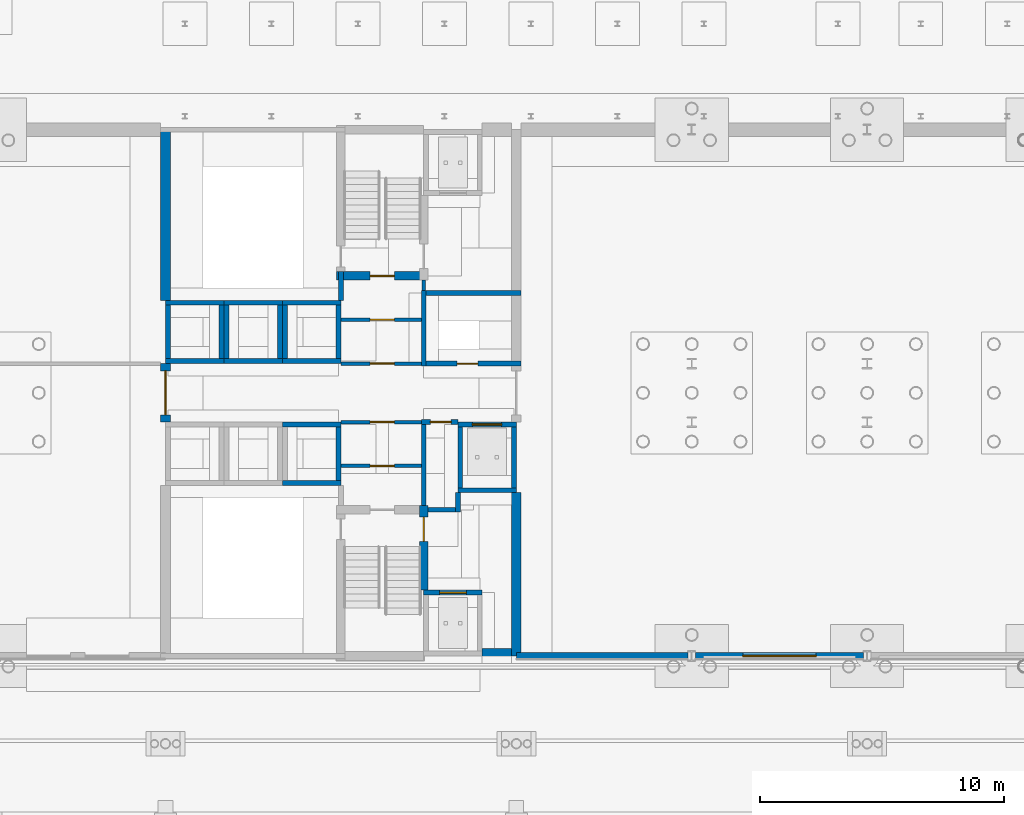
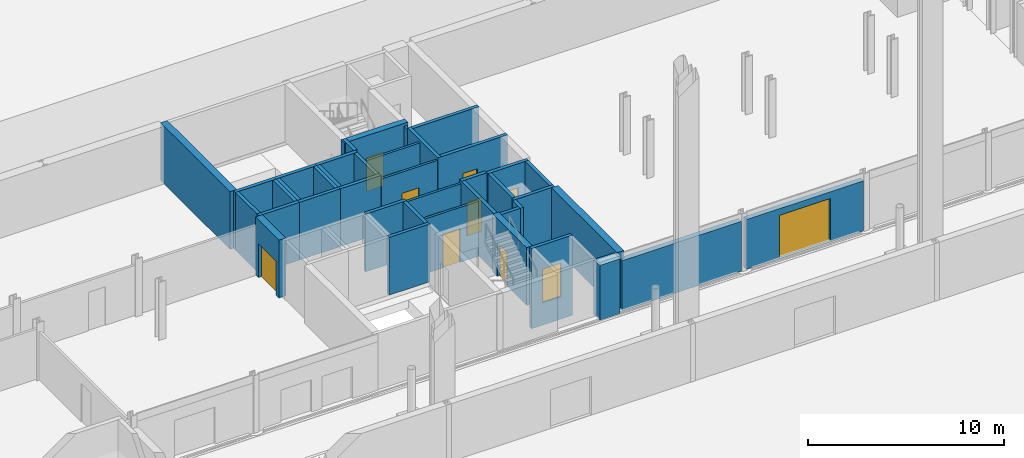
# One storey, part 89 of 148: 41 walls, 12 doors, 12 openings.
"""IFC4 building model written with IfcOpenShell, lengths in metres."""

from ifc_helpers import new_model, si_unit, direction, frame, frame_2d, origin, place, context, subcontext, project, spatial, rectangle, extrude, material, layer, layer_set, type_object, element, fill, save


model = new_model("IFC4")

# Units and contexts
model_context = context("Model", 3, precision=1e-05, world=origin(), true_north=direction((0.0, 1.0)))
body_context = subcontext(model_context, "Body", "Model", "MODEL_VIEW")
ifc_project = project(units=[si_unit("LENGTHUNIT", "METRE"), si_unit("AREAUNIT", "SQUARE_METRE"), si_unit("VOLUMEUNIT", "CUBIC_METRE"), si_unit("PLANEANGLEUNIT", "RADIAN"), si_unit("MASSUNIT", "GRAM", prefix="KILO")], contexts=[model_context])

# Site, building, storey
site_placement = place(None, origin())
site = spatial("IfcSite", under=ifc_project, at=site_placement, CompositionType="ELEMENT")
building_placement = place(site_placement, origin())
building = spatial("IfcBuilding", under=site, at=building_placement, Name="Kupolbacken Congress Centre", CompositionType="ELEMENT")
storey_placement = place(building_placement, origin())
storey = spatial("IfcBuildingStorey", under=building, at=storey_placement, Name="L00", CompositionType="ELEMENT", Elevation=0.0)

# Wall
ifc_material_1 = material(Name="Limestone", Category="masonry")
ifc_layer_1 = layer(ifc_material_1, 0.06005859375)
ifc_material_2 = material(Name="Air cavity", Category="air")
ifc_layer_2 = layer(ifc_material_2, 0.0400390625, ventilated=True)
ifc_material_3 = material(Name="Mineral wool", Category="insulation")
ifc_layer_3 = layer(ifc_material_3, 0.14990234375)
ifc_material_4 = material(Name="Steel studs", Category="metal")
ifc_layer_4 = layer(ifc_material_4, 0.050048828125)
ifc_layer_set_1 = layer_set([ifc_layer_1, ifc_layer_2, ifc_layer_3, ifc_layer_4], Name="Limestone / Mineral wool / Steel studs")
wall_type_1 = type_object("IfcWallType", Name="EW01 external cavity wall 300", PredefinedType="SOLIDWALL", material=ifc_layer_set_1)
wall_1_placement = place(storey_placement, frame((108.0, 122.39990234375, 0.0), z_axis=(0.0, 0.0, 1.0), x_axis=(1.0, 0.0, 0.0)))
element("IfcWall", 1, at=wall_1_placement, inside=storey, type_object=wall_type_1, Name="E/T/S/L00/003", PredefinedType="SOLIDWALL", context=body_context, shape_type="SweptSolid", body=[
    extrude(rectangle(XDim=7.04638671875, YDim=0.300048828125, at=frame_2d((3.523193359375, 0.0))), origin(), (0.0, 0.0, 1.0), 3.1201171875),
])

# Wall, opening, door
wall_2_placement = place(storey_placement, frame((115.353515625, 122.39990234375, 0.0), z_axis=(0.0, 0.0, 1.0), x_axis=(1.0, 0.0, 0.0)))
wall_2 = element("IfcWall", 2, at=wall_2_placement, inside=storey, type_object=wall_type_1, Name="E/T/S/L00/004", PredefinedType="SOLIDWALL", context=body_context, shape_type="SweptSolid", body=[
    extrude(rectangle(XDim=6.89306640625, YDim=0.300048828125, at=frame_2d((3.446533203125, 0.0))), origin(), (0.0, 0.0, 1.0), 3.1201171875),
])
opening_1_placement = place(wall_2_placement, frame((1.946533203125, 0.0, 0.0)))
opening_1 = element("IfcOpeningElement", 3, at=opening_1_placement, cuts=wall_2, Name="Opening D34", PredefinedType="OPENING", context=body_context, shape_type="SweptSolid", body=[
    extrude(rectangle(XDim=3.0, YDim=2.699951171875, at=frame_2d((1.5, 1.35009765625))), frame((0.0, 0.159912109375, 0.0), z_axis=(0.0, -1.0, 0.0), x_axis=(1.0, 0.0, 0.0)), (0.0, 0.0, 1.0), 0.320068359375),
])
ifc_material_5 = material(Name="Aluminium framed glazed door", Category="aluminium")
door_type_1 = type_object("IfcDoorType", Name="D34 door 3000x2700", OperationType="DOUBLE_DOOR_SINGLE_SWING", PredefinedType="DOOR", material=ifc_material_5)
door_1_placement = place(opening_1_placement, frame((3.0, 0.0, 0.0), z_axis=(0.0, 0.0, 1.0), x_axis=(-1.0, 0.0, 0.0)))
door_1 = element("IfcDoor", 4, at=door_1_placement, inside=storey, type_object=door_type_1, Name="E/T/S/L00/004/DTLD", OperationType="DOUBLE_DOOR_SINGLE_SWING", OverallHeight=2.699951171875, OverallWidth=3.0, PredefinedType="DOOR", context=body_context, shape_type="SweptSolid", body=[
    extrude(rectangle(XDim=3.0, YDim=2.699951171875, at=frame_2d((1.5, 1.35009765625))), frame((0.0, 0.02490234375, 0.0), z_axis=(0.0, -1.0, 0.0), x_axis=(1.0, 0.0, 0.0)), (0.0, 0.0, 1.0), 0.050048828125),
])
fill(opening_1, door_1)

# Wall
ifc_material_6 = material(Name="Concrete C40/50", Category="concrete")
ifc_layer_5 = layer(ifc_material_6, 0.35009765625)
ifc_layer_6 = layer(ifc_material_3, 0.1220703125)
ifc_layer_7 = layer(ifc_material_2, 0.0400390625, ventilated=True)
ifc_material_7 = material(Name="Brick", Category="masonry")
ifc_layer_8 = layer(ifc_material_7, 0.10791015625)
ifc_layer_set_2 = layer_set([ifc_layer_5, ifc_layer_6, ifc_layer_7, ifc_layer_8], Name="Concrete C40/50 / Mineral wool / Brick")
wall_type_2 = type_object("IfcWallType", Name="EW10 external cavity wall 620", PredefinedType="SOLIDWALL", material=ifc_layer_set_2)
wall_3_placement = place(storey_placement, frame((106.60009765625, 122.39990234375, 0.0), z_axis=(0.0, 0.0, 1.0), x_axis=(1.0, 0.0, 0.0)))
element("IfcWall", 5, at=wall_3_placement, inside=storey, type_object=wall_type_2, Name="E/T/S/L00/002", PredefinedType="SOLIDWALL", context=body_context, shape_type="SweptSolid", body=[
    extrude(rectangle(XDim=1.199951171875, YDim=0.6201171875, at=frame_2d((0.60009765625, 0.0))), origin(), (0.0, 0.0, 1.0), 3.419921875),
])

# Wall, opening, door
ifc_material_8 = material(Name="Aerated concrete block", Category="masonry")
ifc_layer_9 = layer(ifc_material_8, 0.139892578125)
ifc_layer_set_3 = layer_set([ifc_layer_9], Name="Aerated concrete block")
wall_type_3 = type_object("IfcWallType", Name="P14 compartment wall 140", PredefinedType="PARTITIONING", material=ifc_layer_set_3)
wall_4_placement = place(storey_placement, frame((100.800048828125, 130.199951171875, 0.0), z_axis=(0.0, 0.0, 1.0), x_axis=(1.0, 0.0, 0.0)))
wall_4 = element("IfcWall", 6, at=wall_4_placement, inside=storey, type_object=wall_type_3, Name="T/wall/L00/x/13020/10080", PredefinedType="PARTITIONING", context=body_context, shape_type="SweptSolid", body=[
    extrude(rectangle(XDim=3.300048828125, YDim=0.139892578125, at=frame_2d((1.64990234375, 0.0))), origin(), (0.0, 0.0, 1.0), 3.419921875),
])
opening_2_placement = place(wall_4_placement, frame((1.199951171875, 0.0, 0.0)))
opening_2 = element("IfcOpeningElement", 7, at=opening_2_placement, cuts=wall_4, Name="Opening D5", PredefinedType="OPENING", context=body_context, shape_type="SweptSolid", body=[
    extrude(rectangle(XDim=1.0, YDim=2.10009765625, at=frame_2d((0.5, 1.050048828125))), frame((0.0, 0.079833984375, 0.0), z_axis=(0.0, -1.0, 0.0), x_axis=(1.0, 0.0, 0.0)), (0.0, 0.0, 1.0), 0.159912109375),
])
ifc_material_9 = material(Name="Steel fire door leaf", Category="steel")
door_type_2 = type_object("IfcDoorType", Name="D5 stair door 1000x2100", OperationType="SINGLE_SWING_LEFT", PredefinedType="DOOR", material=ifc_material_9)
door_2_placement = place(opening_2_placement, frame((1.0, 0.0, 0.0), z_axis=(0.0, 0.0, 1.0), x_axis=(-1.0, 0.0, 0.0)))
door_2 = element("IfcDoor", 8, at=door_2_placement, inside=storey, type_object=door_type_2, Name="T/wall/L00/x/13020/10080/D-TS1-LK2", OperationType="SINGLE_SWING_RIGHT", OverallHeight=2.10009765625, OverallWidth=1.0, PredefinedType="DOOR", context=body_context, shape_type="SweptSolid", body=[
    extrude(rectangle(XDim=1.0, YDim=2.10009765625, at=frame_2d((0.5, 1.050048828125))), frame((0.0, 0.02490234375, 0.0), z_axis=(0.0, -1.0, 0.0), x_axis=(1.0, 0.0, 0.0)), (0.0, 0.0, 1.0), 0.050048828125),
])
fill(opening_2, door_2)

wall_5_placement = place(storey_placement, frame((100.800048828125, 132.0, 0.0), z_axis=(0.0, 0.0, 1.0), x_axis=(1.0, 0.0, 0.0)))
wall_5 = element("IfcWall", 9, at=wall_5_placement, inside=storey, type_object=wall_type_3, Name="T/wall/L00/x/13200/10080", PredefinedType="PARTITIONING", context=body_context, shape_type="SweptSolid", body=[
    extrude(rectangle(XDim=3.300048828125, YDim=0.139892578125, at=frame_2d((1.64990234375, 0.0))), origin(), (0.0, 0.0, 1.0), 3.419921875),
])
opening_3_placement = place(wall_5_placement, frame((1.199951171875, 0.0, 0.0)))
opening_3 = element("IfcOpeningElement", 10, at=opening_3_placement, cuts=wall_5, Name="Opening D5", PredefinedType="OPENING", context=body_context, shape_type="SweptSolid", body=[
    extrude(rectangle(XDim=1.0, YDim=2.10009765625, at=frame_2d((0.5, 1.050048828125))), frame((0.0, 0.079833984375, 0.0), z_axis=(0.0, -1.0, 0.0), x_axis=(1.0, 0.0, 0.0)), (0.0, 0.0, 1.0), 0.159912109375),
])
door_3_placement = place(opening_3_placement, origin())
door_3 = element("IfcDoor", 11, at=door_3_placement, inside=storey, type_object=door_type_2, Name="T/wall/L00/x/13200/10080/D-TS1-LK3", OperationType="SINGLE_SWING_LEFT", OverallHeight=2.10009765625, OverallWidth=1.0, PredefinedType="DOOR", context=body_context, shape_type="SweptSolid", body=[
    extrude(rectangle(XDim=1.0, YDim=2.10009765625, at=frame_2d((0.5, 1.050048828125))), frame((0.0, 0.02490234375, 0.0), z_axis=(0.0, -1.0, 0.0), x_axis=(1.0, 0.0, 0.0)), (0.0, 0.0, 1.0), 0.050048828125),
])
fill(opening_3, door_3)

wall_6_placement = place(storey_placement, frame((100.800048828125, 134.39990234375, 0.0), z_axis=(0.0, 0.0, 1.0), x_axis=(1.0, 0.0, 0.0)))
wall_6 = element("IfcWall", 12, at=wall_6_placement, inside=storey, type_object=wall_type_3, Name="T/wall/L00/x/13440/10080", PredefinedType="PARTITIONING", context=body_context, shape_type="SweptSolid", body=[
    extrude(rectangle(XDim=3.300048828125, YDim=0.139892578125, at=frame_2d((1.64990234375, 0.0))), origin(), (0.0, 0.0, 1.0), 3.419921875),
])
opening_4_placement = place(wall_6_placement, frame((1.199951171875, 0.0, 0.0)))
opening_4 = element("IfcOpeningElement", 13, at=opening_4_placement, cuts=wall_6, Name="Opening D5", PredefinedType="OPENING", context=body_context, shape_type="SweptSolid", body=[
    extrude(rectangle(XDim=1.0, YDim=2.10009765625, at=frame_2d((0.5, 1.050048828125))), frame((0.0, 0.079833984375, 0.0), z_axis=(0.0, -1.0, 0.0), x_axis=(1.0, 0.0, 0.0)), (0.0, 0.0, 1.0), 0.159912109375),
])
door_4_placement = place(opening_4_placement, frame((1.0, 0.0, 0.0), z_axis=(0.0, 0.0, 1.0), x_axis=(-1.0, 0.0, 0.0)))
door_4 = element("IfcDoor", 14, at=door_4_placement, inside=storey, type_object=door_type_2, Name="T/wall/L00/x/13440/10080/D-TS2-LK3", OperationType="SINGLE_SWING_RIGHT", OverallHeight=2.10009765625, OverallWidth=1.0, PredefinedType="DOOR", context=body_context, shape_type="SweptSolid", body=[
    extrude(rectangle(XDim=1.0, YDim=2.10009765625, at=frame_2d((0.5, 1.050048828125))), frame((0.0, 0.02490234375, 0.0), z_axis=(0.0, -1.0, 0.0), x_axis=(1.0, 0.0, 0.0)), (0.0, 0.0, 1.0), 0.050048828125),
])
fill(opening_4, door_4)

wall_7_placement = place(storey_placement, frame((100.800048828125, 136.199951171875, 0.0), z_axis=(0.0, 0.0, 1.0), x_axis=(1.0, 0.0, 0.0)))
wall_7 = element("IfcWall", 15, at=wall_7_placement, inside=storey, type_object=wall_type_3, Name="T/wall/L00/x/13620/10080", PredefinedType="PARTITIONING", context=body_context, shape_type="SweptSolid", body=[
    extrude(rectangle(XDim=3.300048828125, YDim=0.139892578125, at=frame_2d((1.64990234375, 0.0))), origin(), (0.0, 0.0, 1.0), 3.419921875),
])
opening_5_placement = place(wall_7_placement, frame((1.199951171875, 0.0, 0.0)))
opening_5 = element("IfcOpeningElement", 16, at=opening_5_placement, cuts=wall_7, Name="Opening D5", PredefinedType="OPENING", context=body_context, shape_type="SweptSolid", body=[
    extrude(rectangle(XDim=1.0, YDim=2.10009765625, at=frame_2d((0.5, 1.050048828125))), frame((0.0, 0.079833984375, 0.0), z_axis=(0.0, -1.0, 0.0), x_axis=(1.0, 0.0, 0.0)), (0.0, 0.0, 1.0), 0.159912109375),
])
door_5_placement = place(opening_5_placement, frame((1.0, 0.0, 0.0), z_axis=(0.0, 0.0, 1.0), x_axis=(-1.0, 0.0, 0.0)))
door_5 = element("IfcDoor", 17, at=door_5_placement, inside=storey, type_object=door_type_2, Name="T/wall/L00/x/13620/10080/D-TS2-LK2", OperationType="SINGLE_SWING_RIGHT", OverallHeight=2.10009765625, OverallWidth=1.0, PredefinedType="DOOR", context=body_context, shape_type="SweptSolid", body=[
    extrude(rectangle(XDim=1.0, YDim=2.10009765625, at=frame_2d((0.5, 1.050048828125))), frame((0.0, 0.02490234375, 0.0), z_axis=(0.0, -1.0, 0.0), x_axis=(1.0, 0.0, 0.0)), (0.0, 0.0, 1.0), 0.050048828125),
])
fill(opening_5, door_5)

# Walls
wall_8_placement = place(storey_placement, frame((104.199951171875, 137.39990234375, 0.0), z_axis=(0.0, 0.0, 1.0), x_axis=(0.0, 1.0, 0.0)))
element("IfcWall", 18, at=wall_8_placement, inside=storey, type_object=wall_type_3, Name="T/wall/L00/y/10420/13740", PredefinedType="PARTITIONING", context=body_context, shape_type="SweptSolid", body=[
    extrude(rectangle(XDim=0.425048828125, YDim=0.139892578125, at=frame_2d((0.21240234375, 0.0))), origin(), (0.0, 0.0, 1.0), 3.419921875),
])
ifc_material_10 = material(Name="Concrete C40/50", Category="concrete")
ifc_layer_10 = layer(ifc_material_10, 0.199951171875)
ifc_layer_set_4 = layer_set([ifc_layer_10], Name="Concrete C40/50")
wall_type_4 = type_object("IfcWallType", Name="WC1 RC shaft wall 200", PredefinedType="SHEAR", material=ifc_layer_set_4)
wall_9_placement = place(storey_placement, frame((104.375, 128.39990234375, 0.0), z_axis=(0.0, 0.0, 1.0), x_axis=(1.0, 0.0, 0.0)))
element("IfcWall", 19, at=wall_9_placement, inside=storey, type_object=wall_type_4, Name="Shaft wall L00-093", PredefinedType="SHEAR", context=body_context, shape_type="SweptSolid", body=[
    extrude(rectangle(XDim=1.324951171875, YDim=0.199951171875, at=frame_2d((0.66259765625, 0.0))), origin(), (0.0, 0.0, 1.0), 3.60009765625),
])
wall_10_placement = place(storey_placement, frame((105.60009765625, 128.300048828125, 0.0), z_axis=(0.0, 0.0, 1.0), x_axis=(0.0, 1.0, 0.0)))
element("IfcWall", 20, at=wall_10_placement, inside=storey, type_object=wall_type_4, Name="Shaft wall L00-094", PredefinedType="SHEAR", context=body_context, shape_type="SweptSolid", body=[
    extrude(rectangle(XDim=0.800048828125, YDim=0.199951171875, at=frame_2d((0.39990234375, 0.0))), origin(), (0.0, 0.0, 1.0), 3.60009765625),
])
wall_11_placement = place(storey_placement, frame((104.199951171875, 132.10009765625, 0.0), z_axis=(0.0, 0.0, 1.0), x_axis=(0.0, -1.0, 0.0)))
element("IfcWall", 21, at=wall_11_placement, inside=storey, type_object=wall_type_4, Name="Shaft wall L00-109", PredefinedType="SHEAR", context=body_context, shape_type="SweptSolid", body=[
    extrude(rectangle(XDim=3.525146484375, YDim=0.199951171875, at=frame_2d((1.7626953125, 0.0))), origin(), (0.0, 0.0, 1.0), 3.60009765625),
])

# Wall, opening, door
wall_12_placement = place(storey_placement, frame((105.60009765625, 132.0, 0.0), z_axis=(0.0, 0.0, 1.0), x_axis=(-1.0, 0.0, 0.0)))
wall_12 = element("IfcWall", 22, at=wall_12_placement, inside=storey, type_object=wall_type_4, Name="Shaft wall L00-110", PredefinedType="SHEAR", context=body_context, shape_type="SweptSolid", body=[
    extrude(rectangle(XDim=1.5, YDim=0.199951171875, at=frame_2d((0.75, 0.0))), origin(), (0.0, 0.0, 1.0), 3.60009765625),
])
opening_6_placement = place(wall_12_placement, frame((0.27490234375, 0.0, 0.0)))
opening_6 = element("IfcOpeningElement", 23, at=opening_6_placement, cuts=wall_12, Name="Opening D3", PredefinedType="OPENING", context=body_context, shape_type="SweptSolid", body=[
    extrude(rectangle(XDim=0.85009765625, YDim=2.10009765625, at=frame_2d((0.425048828125, 1.050048828125))), frame((0.0, 0.10986328125, 0.0), z_axis=(0.0, -1.0, 0.0), x_axis=(1.0, 0.0, 0.0)), (0.0, 0.0, 1.0), 0.219970703125),
])
ifc_material_11 = material(Name="Steel fire door leaf", Category="steel")
door_type_3 = type_object("IfcDoorType", Name="D3 fire door 850x2100", OperationType="SINGLE_SWING_LEFT", PredefinedType="DOOR", material=ifc_material_11)
door_6_placement = place(opening_6_placement, origin())
door_6 = element("IfcDoor", 24, at=door_6_placement, inside=storey, type_object=door_type_3, Name="S/core/L00/110/D-TR3-A", OperationType="SINGLE_SWING_LEFT", OverallHeight=2.10009765625, OverallWidth=0.85009765625, PredefinedType="DOOR", context=body_context, shape_type="SweptSolid", body=[
    extrude(rectangle(XDim=0.85009765625, YDim=2.10009765625, at=frame_2d((0.425048828125, 1.050048828125))), frame((0.0, 0.02490234375, 0.0), z_axis=(0.0, -1.0, 0.0), x_axis=(1.0, 0.0, 0.0)), (0.0, 0.0, 1.0), 0.050048828125),
])
fill(opening_6, door_6)

wall_13_placement = place(storey_placement, frame((104.10009765625, 134.39990234375, 0.0), z_axis=(0.0, 0.0, 1.0), x_axis=(1.0, 0.0, 0.0)))
wall_13 = element("IfcWall", 25, at=wall_13_placement, inside=storey, type_object=wall_type_4, Name="Shaft wall L00-112", PredefinedType="SHEAR", context=body_context, shape_type="SweptSolid", body=[
    extrude(rectangle(XDim=4.099853515625, YDim=0.199951171875, at=frame_2d((2.0498046875, 0.0))), origin(), (0.0, 0.0, 1.0), 3.60009765625),
])
opening_7_placement = place(wall_13_placement, frame((1.47509765625, 0.0, 0.0)))
opening_7 = element("IfcOpeningElement", 26, at=opening_7_placement, cuts=wall_13, Name="Opening D3", PredefinedType="OPENING", context=body_context, shape_type="SweptSolid", body=[
    extrude(rectangle(XDim=0.85009765625, YDim=2.10009765625, at=frame_2d((0.425048828125, 1.050048828125))), frame((0.0, 0.10986328125, 0.0), z_axis=(0.0, -1.0, 0.0), x_axis=(1.0, 0.0, 0.0)), (0.0, 0.0, 1.0), 0.219970703125),
])
door_7_placement = place(opening_7_placement, origin())
door_7 = element("IfcDoor", 27, at=door_7_placement, inside=storey, type_object=door_type_3, Name="S/core/L00/112/D-TR4-A", OperationType="SINGLE_SWING_RIGHT", OverallHeight=2.10009765625, OverallWidth=0.85009765625, PredefinedType="DOOR", context=body_context, shape_type="SweptSolid", body=[
    extrude(rectangle(XDim=0.85009765625, YDim=2.10009765625, at=frame_2d((0.425048828125, 1.050048828125))), frame((0.0, 0.02490234375, 0.0), z_axis=(0.0, -1.0, 0.0), x_axis=(1.0, 0.0, 0.0)), (0.0, 0.0, 1.0), 0.050048828125),
])
fill(opening_7, door_7)

# Walls
wall_14_placement = place(storey_placement, frame((100.800048828125, 137.0, 0.0), z_axis=(0.0, 0.0, 1.0), x_axis=(0.0, 1.0, 0.0)))
element("IfcWall", 28, at=wall_14_placement, inside=storey, type_object=wall_type_4, Name="Shaft wall L00-114", PredefinedType="SHEAR", context=body_context, shape_type="SweptSolid", body=[
    extrude(rectangle(XDim=1.175048828125, YDim=0.199951171875, at=frame_2d((0.58740234375, 0.0))), origin(), (0.0, 0.0, 1.0), 3.60009765625),
])
wall_15_placement = place(storey_placement, frame((104.199951171875, 137.39990234375, 0.0), z_axis=(0.0, 0.0, 1.0), x_axis=(0.0, -1.0, 0.0)))
element("IfcWall", 29, at=wall_15_placement, inside=storey, type_object=wall_type_4, Name="Shaft wall L00-115", PredefinedType="SHEAR", context=body_context, shape_type="SweptSolid", body=[
    extrude(rectangle(XDim=3.099853515625, YDim=0.199951171875, at=frame_2d((1.5498046875, 0.0))), origin(), (0.0, 0.0, 1.0), 3.60009765625),
])
wall_16_placement = place(storey_placement, frame((108.199951171875, 137.300048828125, 0.0), z_axis=(0.0, 0.0, 1.0), x_axis=(-1.0, 0.0, 0.0)))
element("IfcWall", 30, at=wall_16_placement, inside=storey, type_object=wall_type_4, Name="Shaft wall L00-116", PredefinedType="SHEAR", context=body_context, shape_type="SweptSolid", body=[
    extrude(rectangle(XDim=4.099853515625, YDim=0.199951171875, at=frame_2d((2.0498046875, 0.0))), origin(), (0.0, 0.0, 1.0), 3.60009765625),
])
for number, where, z_axis, x_axis, name in (
    (31, (98.39990234375, 129.5, 0.0), (0.0, 0.0, 1.0), (1.0, 0.0, 0.0), "Shaft wall LP11"),
    (32, (98.39990234375, 131.89990234375, 0.0), (0.0, 0.0, 1.0), (1.0, 0.0, 0.0), "Shaft wall LP11"),
):
    element("IfcWall", number, at=place(storey_placement, frame(where, z_axis=z_axis, x_axis=x_axis)), inside=storey, type_object=wall_type_4, Name=name, PredefinedType="SHEAR", context=body_context, shape_type="SweptSolid", body=[
        extrude(rectangle(XDim=2.400146484375, YDim=0.199951171875, at=frame_2d((1.2001953125, 0.0))), origin(), (0.0, 0.0, 1.0), 3.60009765625),
    ])
wall_17_placement = place(storey_placement, frame((100.699951171875, 129.60009765625, 0.0), z_axis=(0.0, 0.0, 1.0), x_axis=(0.0, 1.0, 0.0)))
element("IfcWall", 33, at=wall_17_placement, inside=storey, type_object=wall_type_4, Name="Shaft wall LP11", PredefinedType="SHEAR", context=body_context, shape_type="SweptSolid", body=[
    extrude(rectangle(XDim=2.199951171875, YDim=0.199951171875, at=frame_2d((1.10009765625, 0.0))), origin(), (0.0, 0.0, 1.0), 3.60009765625),
])
for number, where, z_axis, x_axis, name in (
    (34, (93.60009765625, 134.5, 0.0), (0.0, 0.0, 1.0), (1.0, 0.0, 0.0), "Shaft wall LP12"),
    (35, (93.60009765625, 136.89990234375, 0.0), (0.0, 0.0, 1.0), (1.0, 0.0, 0.0), "Shaft wall LP12"),
):
    element("IfcWall", number, at=place(storey_placement, frame(where, z_axis=z_axis, x_axis=x_axis)), inside=storey, type_object=wall_type_4, Name=name, PredefinedType="SHEAR", context=body_context, shape_type="SweptSolid", body=[
        extrude(rectangle(XDim=2.39990234375, YDim=0.199951171875, at=frame_2d((1.199951171875, 0.0))), origin(), (0.0, 0.0, 1.0), 3.60009765625),
    ])
for number, where, z_axis, x_axis, name in (
    (36, (93.699951171875, 134.60009765625, 0.0), (0.0, 0.0, 1.0), (0.0, 1.0, 0.0), "Shaft wall LP12"),
    (37, (95.89990234375, 134.60009765625, 0.0), (0.0, 0.0, 1.0), (0.0, 1.0, 0.0), "Shaft wall LP12"),
):
    element("IfcWall", number, at=place(storey_placement, frame(where, z_axis=z_axis, x_axis=x_axis)), inside=storey, type_object=wall_type_4, Name=name, PredefinedType="SHEAR", context=body_context, shape_type="SweptSolid", body=[
        extrude(rectangle(XDim=2.199951171875, YDim=0.199951171875, at=frame_2d((1.10009765625, 0.0))), origin(), (0.0, 0.0, 1.0), 3.60009765625),
    ])
for number, where, z_axis, x_axis, name in (
    (38, (96.0, 134.5, 0.0), (0.0, 0.0, 1.0), (1.0, 0.0, 0.0), "Shaft wall LP13"),
    (39, (96.0, 136.89990234375, 0.0), (0.0, 0.0, 1.0), (1.0, 0.0, 0.0), "Shaft wall LP13"),
):
    element("IfcWall", number, at=place(storey_placement, frame(where, z_axis=z_axis, x_axis=x_axis)), inside=storey, type_object=wall_type_4, Name=name, PredefinedType="SHEAR", context=body_context, shape_type="SweptSolid", body=[
        extrude(rectangle(XDim=2.39990234375, YDim=0.199951171875, at=frame_2d((1.199951171875, 0.0))), origin(), (0.0, 0.0, 1.0), 3.60009765625),
    ])
for number, where, z_axis, x_axis, name in (
    (40, (96.10009765625, 134.60009765625, 0.0), (0.0, 0.0, 1.0), (0.0, 1.0, 0.0), "Shaft wall LP13"),
    (41, (98.300048828125, 134.60009765625, 0.0), (0.0, 0.0, 1.0), (0.0, 1.0, 0.0), "Shaft wall LP13"),
):
    element("IfcWall", number, at=place(storey_placement, frame(where, z_axis=z_axis, x_axis=x_axis)), inside=storey, type_object=wall_type_4, Name=name, PredefinedType="SHEAR", context=body_context, shape_type="SweptSolid", body=[
        extrude(rectangle(XDim=2.199951171875, YDim=0.199951171875, at=frame_2d((1.10009765625, 0.0))), origin(), (0.0, 0.0, 1.0), 3.60009765625),
    ])
for number, where, z_axis, x_axis, name in (
    (42, (98.39990234375, 134.5, 0.0), (0.0, 0.0, 1.0), (1.0, 0.0, 0.0), "Shaft wall LP14"),
    (43, (98.39990234375, 136.89990234375, 0.0), (0.0, 0.0, 1.0), (1.0, 0.0, 0.0), "Shaft wall LP14"),
):
    element("IfcWall", number, at=place(storey_placement, frame(where, z_axis=z_axis, x_axis=x_axis)), inside=storey, type_object=wall_type_4, Name=name, PredefinedType="SHEAR", context=body_context, shape_type="SweptSolid", body=[
        extrude(rectangle(XDim=2.400146484375, YDim=0.199951171875, at=frame_2d((1.2001953125, 0.0))), origin(), (0.0, 0.0, 1.0), 3.60009765625),
    ])
for number, where, z_axis, x_axis, name in (
    (44, (98.5, 134.60009765625, 0.0), (0.0, 0.0, 1.0), (0.0, 1.0, 0.0), "Shaft wall LP14"),
    (45, (100.699951171875, 134.60009765625, 0.0), (0.0, 0.0, 1.0), (0.0, 1.0, 0.0), "Shaft wall LP14"),
):
    element("IfcWall", number, at=place(storey_placement, frame(where, z_axis=z_axis, x_axis=x_axis)), inside=storey, type_object=wall_type_4, Name=name, PredefinedType="SHEAR", context=body_context, shape_type="SweptSolid", body=[
        extrude(rectangle(XDim=2.199951171875, YDim=0.199951171875, at=frame_2d((1.10009765625, 0.0))), origin(), (0.0, 0.0, 1.0), 3.60009765625),
    ])

# Wall, opening, door
wall_18_placement = place(storey_placement, frame((104.199951171875, 125.0, -1.39990234375), z_axis=(0.0, 0.0, 1.0), x_axis=(1.0, 0.0, 0.0)))
wall_18 = element("IfcWall", 46, at=wall_18_placement, inside=storey, type_object=wall_type_4, Name="Shaft wall LF1", PredefinedType="SHEAR", context=body_context, shape_type="SweptSolid", body=[
    extrude(rectangle(XDim=2.400146484375, YDim=0.199951171875, at=frame_2d((1.2001953125, 0.0))), origin(), (0.0, 0.0, 1.0), 5.0),
])
opening_8_placement = place(wall_18_placement, frame((0.64990234375, 0.0, 1.39990234375)))
opening_8 = element("IfcOpeningElement", 47, at=opening_8_placement, cuts=wall_18, Name="Opening LD2", PredefinedType="OPENING", context=body_context, shape_type="SweptSolid", body=[
    extrude(rectangle(XDim=1.10009765625, YDim=2.10009765625, at=frame_2d((0.550048828125, 1.050048828125))), frame((0.0, 0.10986328125, 0.0), z_axis=(0.0, -1.0, 0.0), x_axis=(1.0, 0.0, 0.0)), (0.0, 0.0, 1.0), 0.219970703125),
])
ifc_material_12 = material(Name="Stainless steel door leaf", Category="steel")
door_type_4 = type_object("IfcDoorType", Name="LD2 lift landing door 1100x2100", OperationType="SLIDING_TO_LEFT", PredefinedType="DOOR", material=ifc_material_12)
door_8_placement = place(opening_8_placement, origin())
door_8 = element("IfcDoor", 48, at=door_8_placement, inside=storey, type_object=door_type_4, Name="Lift landing door LF1", OperationType="SLIDING_TO_LEFT", OverallHeight=2.10009765625, OverallWidth=1.10009765625, PredefinedType="DOOR", context=body_context, shape_type="SweptSolid", body=[
    extrude(rectangle(XDim=1.10009765625, YDim=2.10009765625, at=frame_2d((0.550048828125, 1.050048828125))), frame((0.0, 0.02490234375, 0.0), z_axis=(0.0, -1.0, 0.0), x_axis=(1.0, 0.0, 0.0)), (0.0, 0.0, 1.0), 0.050048828125),
])
fill(opening_8, door_8)

# Wall
wall_19_placement = place(storey_placement, frame((105.60009765625, 129.199951171875, -1.39990234375), z_axis=(0.0, 0.0, 1.0), x_axis=(1.0, 0.0, 0.0)))
element("IfcWall", 49, at=wall_19_placement, inside=storey, type_object=wall_type_4, Name="Shaft wall LV1", PredefinedType="SHEAR", context=body_context, shape_type="SweptSolid", body=[
    extrude(rectangle(XDim=2.39990234375, YDim=0.199951171875, at=frame_2d((1.199951171875, 0.0))), origin(), (0.0, 0.0, 1.0), 5.0),
])

# Wall, opening, door
wall_20_placement = place(storey_placement, frame((105.60009765625, 131.89990234375, -1.39990234375), z_axis=(0.0, 0.0, 1.0), x_axis=(1.0, 0.0, 0.0)))
wall_20 = element("IfcWall", 50, at=wall_20_placement, inside=storey, type_object=wall_type_4, Name="Shaft wall LV1", PredefinedType="SHEAR", context=body_context, shape_type="SweptSolid", body=[
    extrude(rectangle(XDim=2.39990234375, YDim=0.199951171875, at=frame_2d((1.199951171875, 0.0))), origin(), (0.0, 0.0, 1.0), 5.0),
])
opening_9_placement = place(wall_20_placement, frame((0.60009765625, 0.0, 1.39990234375)))
opening_9 = element("IfcOpeningElement", 51, at=opening_9_placement, cuts=wall_20, Name="Opening LD1", PredefinedType="OPENING", context=body_context, shape_type="SweptSolid", body=[
    extrude(rectangle(XDim=1.199951171875, YDim=2.10009765625, at=frame_2d((0.60009765625, 1.050048828125))), frame((0.0, 0.10986328125, 0.0), z_axis=(0.0, -1.0, 0.0), x_axis=(1.0, 0.0, 0.0)), (0.0, 0.0, 1.0), 0.219970703125),
])
ifc_material_13 = material(Name="Stainless steel door leaf", Category="steel")
door_type_5 = type_object("IfcDoorType", Name="LD1 lift landing door 1200x2100", OperationType="SLIDING_TO_LEFT", PredefinedType="DOOR", material=ifc_material_13)
door_9_placement = place(opening_9_placement, origin())
door_9 = element("IfcDoor", 52, at=door_9_placement, inside=storey, type_object=door_type_5, Name="Lift landing door LV1", OperationType="SLIDING_TO_LEFT", OverallHeight=2.10009765625, OverallWidth=1.199951171875, PredefinedType="DOOR", context=body_context, shape_type="SweptSolid", body=[
    extrude(rectangle(XDim=1.199951171875, YDim=2.10009765625, at=frame_2d((0.60009765625, 1.050048828125))), frame((0.0, 0.02490234375, 0.0), z_axis=(0.0, -1.0, 0.0), x_axis=(1.0, 0.0, 0.0)), (0.0, 0.0, 1.0), 0.050048828125),
])
fill(opening_9, door_9)

# Walls
for number, where, z_axis, x_axis, name in (
    (53, (105.699951171875, 129.300048828125, -1.39990234375), (0.0, 0.0, 1.0), (0.0, 1.0, 0.0), "Shaft wall LV1"),
    (54, (107.89990234375, 129.300048828125, -1.39990234375), (0.0, 0.0, 1.0), (0.0, 1.0, 0.0), "Shaft wall LV1"),
):
    element("IfcWall", number, at=place(storey_placement, frame(where, z_axis=z_axis, x_axis=x_axis)), inside=storey, type_object=wall_type_4, Name=name, PredefinedType="SHEAR", context=body_context, shape_type="SweptSolid", body=[
        extrude(rectangle(XDim=2.5, YDim=0.199951171875, at=frame_2d((1.25, 0.0))), origin(), (0.0, 0.0, 1.0), 5.0),
    ])

# Wall, opening, door
ifc_material_14 = material(Name="Concrete C40/50", Category="concrete")
ifc_layer_11 = layer(ifc_material_14, 0.35009765625)
ifc_layer_set_5 = layer_set([ifc_layer_11], Name="Concrete C40/50")
wall_type_5 = type_object("IfcWallType", Name="WC4 RC core wall 350", PredefinedType="SHEAR", material=ifc_layer_set_5)
wall_21_placement = place(storey_placement, frame((104.199951171875, 125.10009765625, 0.0), z_axis=(0.0, 0.0, 1.0), x_axis=(0.0, 1.0, 0.0)))
wall_21 = element("IfcWall", 55, at=wall_21_placement, inside=storey, type_object=wall_type_5, Name="Core wall L00-081", PredefinedType="SHEAR", context=body_context, shape_type="SweptSolid", body=[
    extrude(rectangle(XDim=3.474853515625, YDim=0.35009765625, at=frame_2d((1.7373046875, 0.0))), origin(), (0.0, 0.0, 1.0), 3.60009765625),
])
opening_10_placement = place(wall_21_placement, frame((2.0, 0.0, 0.0)))
opening_10 = element("IfcOpeningElement", 56, at=opening_10_placement, cuts=wall_21, Name="Opening D5", PredefinedType="OPENING", context=body_context, shape_type="SweptSolid", body=[
    extrude(rectangle(XDim=1.0, YDim=2.10009765625, at=frame_2d((0.5, 1.050048828125))), frame((0.0, 0.18505859375, 0.0), z_axis=(0.0, -1.0, 0.0), x_axis=(1.0, 0.0, 0.0)), (0.0, 0.0, 1.0), 0.3701171875),
])
door_10_placement = place(opening_10_placement, origin())
door_10 = element("IfcDoor", 57, at=door_10_placement, inside=storey, type_object=door_type_2, Name="S/core/L00/081/D-TFL1-A", OperationType="SINGLE_SWING_LEFT", OverallHeight=2.10009765625, OverallWidth=1.0, PredefinedType="DOOR", context=body_context, shape_type="SweptSolid", body=[
    extrude(rectangle(XDim=1.0, YDim=2.10009765625, at=frame_2d((0.5, 1.050048828125))), frame((0.0, 0.02490234375, 0.0), z_axis=(0.0, -1.0, 0.0), x_axis=(1.0, 0.0, 0.0)), (0.0, 0.0, 1.0), 0.050048828125),
])
fill(opening_10, door_10)

wall_22_placement = place(storey_placement, frame((100.625, 138.0, 0.0), z_axis=(0.0, 0.0, 1.0), x_axis=(1.0, 0.0, 0.0)))
wall_22 = element("IfcWall", 58, at=wall_22_placement, inside=storey, type_object=wall_type_5, Name="Core wall L00-120", PredefinedType="SHEAR", context=body_context, shape_type="SweptSolid", body=[
    extrude(rectangle(XDim=3.75, YDim=0.35009765625, at=frame_2d((1.875, 0.0))), origin(), (0.0, 0.0, 1.0), 3.60009765625),
])
opening_11_placement = place(wall_22_placement, frame((1.375, 0.0, 0.0)))
opening_11 = element("IfcOpeningElement", 59, at=opening_11_placement, cuts=wall_22, Name="Opening D5", PredefinedType="OPENING", context=body_context, shape_type="SweptSolid", body=[
    extrude(rectangle(XDim=1.0, YDim=2.10009765625, at=frame_2d((0.5, 1.050048828125))), frame((0.0, 0.18505859375, 0.0), z_axis=(0.0, -1.0, 0.0), x_axis=(1.0, 0.0, 0.0)), (0.0, 0.0, 1.0), 0.3701171875),
])
door_11_placement = place(opening_11_placement, origin())
door_11 = element("IfcDoor", 60, at=door_11_placement, inside=storey, type_object=door_type_2, Name="S/core/L00/120/D-TS2-LK1", OperationType="SINGLE_SWING_LEFT", OverallHeight=2.10009765625, OverallWidth=1.0, PredefinedType="DOOR", context=body_context, shape_type="SweptSolid", body=[
    extrude(rectangle(XDim=1.0, YDim=2.10009765625, at=frame_2d((0.5, 1.050048828125))), frame((0.0, 0.02490234375, 0.0), z_axis=(0.0, -1.0, 0.0), x_axis=(1.0, 0.0, 0.0)), (0.0, 0.0, 1.0), 0.050048828125),
])
fill(opening_11, door_11)

# Wall
ifc_material_15 = material(Name="Concrete C40/50", Category="concrete")
ifc_layer_12 = layer(ifc_material_15, 0.39990234375)
ifc_layer_set_6 = layer_set([ifc_layer_12], Name="Concrete C40/50")
wall_type_6 = type_object("IfcWallType", Name="WC5 RC core wall 400", PredefinedType="SHEAR", material=ifc_layer_set_6)
wall_23_placement = place(storey_placement, frame((108.0, 122.39990234375, 0.0), z_axis=(0.0, 0.0, 1.0), x_axis=(0.0, 1.0, 0.0)))
element("IfcWall", 61, at=wall_23_placement, inside=storey, type_object=wall_type_6, Name="Core wall L00-080", PredefinedType="SHEAR", context=body_context, shape_type="SweptSolid", body=[
    extrude(rectangle(XDim=6.7001953125, YDim=0.39990234375, at=frame_2d((3.35009765625, 0.0))), origin(), (0.0, 0.0, 1.0), 3.60009765625),
])

# Wall, opening, door
wall_24_placement = place(storey_placement, frame((93.60009765625, 132.0, 0.0), z_axis=(0.0, 0.0, 1.0), x_axis=(0.0, 1.0, 0.0)))
wall_24 = element("IfcWall", 62, at=wall_24_placement, inside=storey, type_object=wall_type_6, Name="Core wall L00-108", PredefinedType="SHEAR", context=body_context, shape_type="SweptSolid", body=[
    extrude(rectangle(XDim=2.39990234375, YDim=0.39990234375, at=frame_2d((1.199951171875, 0.0))), origin(), (0.0, 0.0, 1.0), 3.60009765625),
])
opening_12_placement = place(wall_24_placement, frame((0.300048828125, 0.0, 0.0)))
opening_12 = element("IfcOpeningElement", 63, at=opening_12_placement, cuts=wall_24, Name="Opening D14", PredefinedType="OPENING", context=body_context, shape_type="SweptSolid", body=[
    extrude(rectangle(XDim=1.800048828125, YDim=2.10009765625, at=frame_2d((0.89990234375, 1.050048828125))), frame((0.0, 0.2099609375, 0.0), z_axis=(0.0, -1.0, 0.0), x_axis=(1.0, 0.0, 0.0)), (0.0, 0.0, 1.0), 0.419921875),
])
ifc_material_16 = material(Name="Steel fire door leaf", Category="steel")
door_type_6 = type_object("IfcDoorType", Name="D14 fire door 1800x2100", OperationType="DOUBLE_DOOR_SINGLE_SWING", PredefinedType="DOOR", material=ifc_material_16)
door_12_placement = place(opening_12_placement, origin())
door_12 = element("IfcDoor", 64, at=door_12_placement, inside=storey, type_object=door_type_6, Name="S/core/L00/108/D-CX-W", OperationType="DOUBLE_DOOR_SINGLE_SWING", OverallHeight=2.10009765625, OverallWidth=1.800048828125, PredefinedType="DOOR", context=body_context, shape_type="SweptSolid", body=[
    extrude(rectangle(XDim=1.800048828125, YDim=2.10009765625, at=frame_2d((0.89990234375, 1.050048828125))), frame((0.0, 0.02490234375, 0.0), z_axis=(0.0, -1.0, 0.0), x_axis=(1.0, 0.0, 0.0)), (0.0, 0.0, 1.0), 0.050048828125),
])
fill(opening_12, door_12)

# Wall
wall_25_placement = place(storey_placement, frame((93.60009765625, 144.10009765625, 0.0), z_axis=(0.0, 0.0, 1.0), x_axis=(0.0, -1.0, 0.0)))
element("IfcWall", 65, at=wall_25_placement, inside=storey, type_object=wall_type_6, Name="Core wall L00-126", PredefinedType="SHEAR", context=body_context, shape_type="SweptSolid", body=[
    extrude(rectangle(XDim=7.10009765625, YDim=0.39990234375, at=frame_2d((3.550048828125, 0.0))), origin(), (0.0, 0.0, 1.0), 3.60009765625),
])

save(model, "model.ifc")
